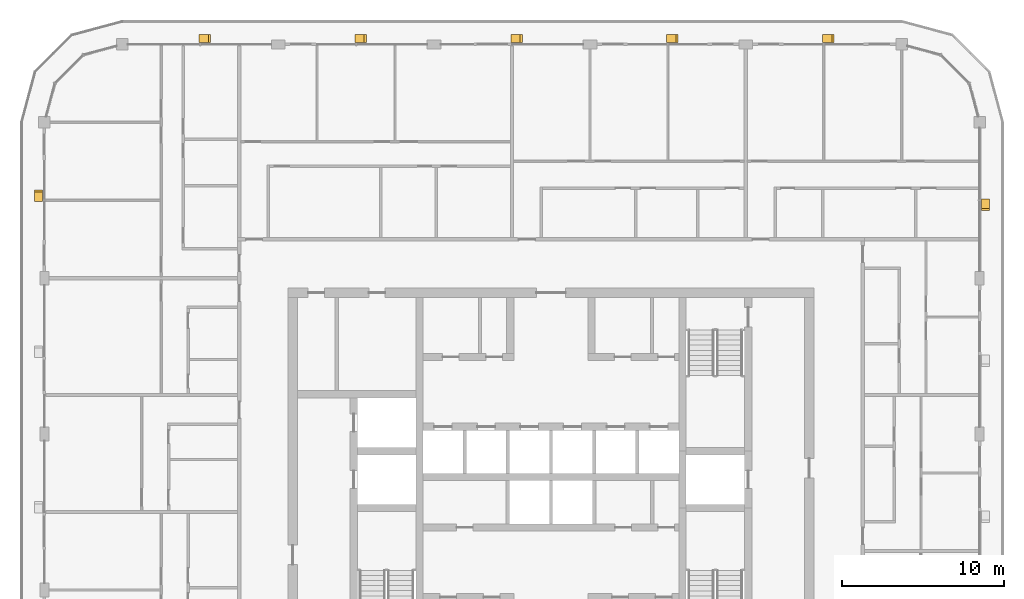
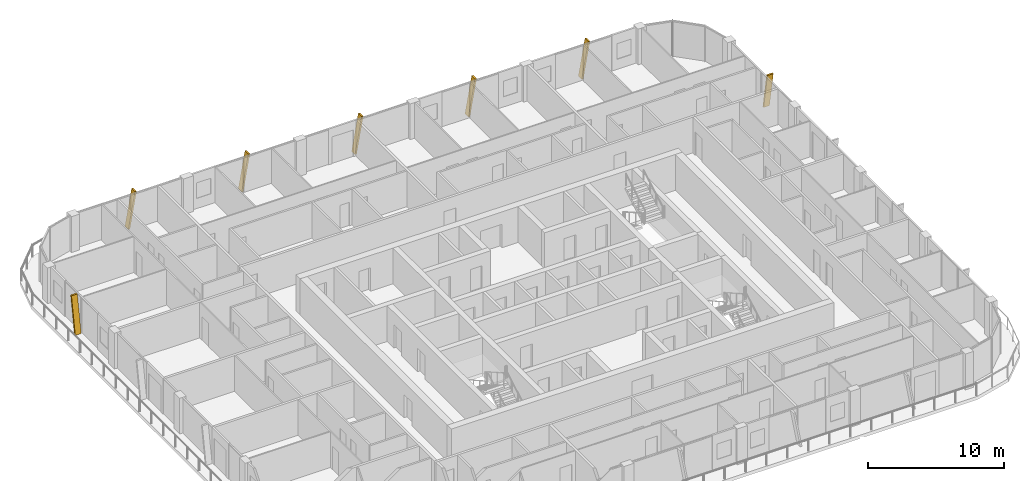
# One storey, part 22 of 22: 7 shading devices.
"""IFC4 building model written with IfcOpenShell, lengths in metres."""

from ifc_helpers import new_model, si_unit, direction, frame, origin, place, context, subcontext, project, spatial, polyline, outline, extrude, material, type_object, element, save


model = new_model("IFC4")

# Units and contexts
model_context = context("Model", 3, precision=1e-05, world=origin(), true_north=direction((0.0, 1.0)))
body_context = subcontext(model_context, "Body", "Model", "MODEL_VIEW")
ifc_project = project(units=[si_unit("LENGTHUNIT", "METRE"), si_unit("AREAUNIT", "SQUARE_METRE"), si_unit("VOLUMEUNIT", "CUBIC_METRE"), si_unit("PLANEANGLEUNIT", "RADIAN"), si_unit("MASSUNIT", "GRAM", prefix="KILO")], contexts=[model_context])

# Site, building, storey
site_placement = place(None, origin())
site = spatial("IfcSite", under=ifc_project, at=site_placement, CompositionType="ELEMENT")
building_placement = place(site_placement, origin())
building = spatial("IfcBuilding", under=site, at=building_placement, Name="Madar Terraces", CompositionType="ELEMENT")
storey_placement = place(building_placement, frame((0.0, 0.0, 249.199951171875)))
storey = spatial("IfcBuildingStorey", under=building, at=storey_placement, Name="L65", CompositionType="ELEMENT", Elevation=249.199951171875)

# Shading devices
ifc_material = material(Name="Aluminium, black anodised", Category="aluminium")
shading_device_type = type_object("IfcShadingDeviceType", Name="Facade fin blade 140 x 500", PredefinedType="USERDEFINED", material=ifc_material)
for number, where, z_axis, x_axis, name in (
    (1, (57.949951171875, 43.1298828125, 0.0), (0.0, 0.0, 1.0), (0.0, 1.0, 0.0), "FIN L65 E4"),
    (2, (48.070068359375, 53.14990234375, 0.0), (0.0, 0.0, 1.0), (-1.0, 0.0, 0.0), "FIN L65 N1"),
):
    element("IfcShadingDevice", number, at=place(storey_placement, frame(where, z_axis=z_axis, x_axis=x_axis)), inside=storey, type_object=shading_device_type, Name=name, ObjectType="FIN", PredefinedType="USERDEFINED", context=body_context, shape_type="SweptSolid", body=[
        extrude(outline(polyline([(0.0, 0.0), (0.14013671875, 0.0), (-0.42431640625, 3.199951171875), (-0.564208984375, 3.199951171875), (0.0, 0.0)])), frame((0.0, 0.25, 0.0), z_axis=(0.0, -1.0, 0.0), x_axis=(1.0, 0.0, 0.0)), (0.0, 0.0, 1.0), 0.5),
    ])
shading_device_1_placement = place(storey_placement, frame((38.469970703125, 53.14990234375, 0.0), z_axis=(0.0, 0.0, 1.0), x_axis=(-1.0, 0.0, 0.0)))
element("IfcShadingDevice", 3, at=shading_device_1_placement, inside=storey, type_object=shading_device_type, Name="FIN L65 N2", ObjectType="FIN", PredefinedType="USERDEFINED", context=body_context, shape_type="SweptSolid", body=[
    extrude(outline(polyline([(0.0, 0.0), (0.139892578125, 0.0), (-0.42431640625, 3.199951171875), (-0.564208984375, 3.199951171875), (0.0, 0.0)])), frame((0.0, 0.25, 0.0), z_axis=(0.0, -1.0, 0.0), x_axis=(1.0, 0.0, 0.0)), (0.0, 0.0, 1.0), 0.5),
])
for number, where, z_axis, x_axis, name in (
    (4, (28.8701171875, 53.14990234375, 0.0), (0.0, 0.0, 1.0), (-1.0, 0.0, 0.0), "FIN L65 N3"),
    (5, (19.27001953125, 53.14990234375, 0.0), (0.0, 0.0, 1.0), (-1.0, 0.0, 0.0), "FIN L65 N4"),
):
    element("IfcShadingDevice", number, at=place(storey_placement, frame(where, z_axis=z_axis, x_axis=x_axis)), inside=storey, type_object=shading_device_type, Name=name, ObjectType="FIN", PredefinedType="USERDEFINED", context=body_context, shape_type="SweptSolid", body=[
        extrude(outline(polyline([(0.0, 0.0), (0.14013671875, 0.0), (-0.42431640625, 3.199951171875), (-0.564208984375, 3.199951171875), (0.0, 0.0)])), frame((0.0, 0.25, 0.0), z_axis=(0.0, -1.0, 0.0), x_axis=(1.0, 0.0, 0.0)), (0.0, 0.0, 1.0), 0.5),
    ])
shading_device_2_placement = place(storey_placement, frame((9.669921875, 53.14990234375, 0.0), z_axis=(0.0, 0.0, 1.0), x_axis=(-1.0, 0.0, 0.0)))
element("IfcShadingDevice", 6, at=shading_device_2_placement, inside=storey, type_object=shading_device_type, Name="FIN L65 N5", ObjectType="FIN", PredefinedType="USERDEFINED", context=body_context, shape_type="SweptSolid", body=[
    extrude(outline(polyline([(0.0, 0.0), (0.139892578125, 0.0), (-0.42431640625, 3.199951171875), (-0.564208984375, 3.199951171875), (0.0, 0.0)])), frame((0.0, 0.25, 0.0), z_axis=(0.0, -1.0, 0.0), x_axis=(1.0, 0.0, 0.0)), (0.0, 0.0, 1.0), 0.5),
])
shading_device_3_placement = place(storey_placement, frame((-0.35009765625, 43.27001953125, 0.0), z_axis=(0.0, 0.0, 1.0), x_axis=(0.0, -1.0, 0.0)))
element("IfcShadingDevice", 7, at=shading_device_3_placement, inside=storey, type_object=shading_device_type, Name="FIN L65 W1", ObjectType="FIN", PredefinedType="USERDEFINED", context=body_context, shape_type="SweptSolid", body=[
    extrude(outline(polyline([(0.0, 0.0), (0.14013671875, 0.0), (-0.42431640625, 3.199951171875), (-0.564208984375, 3.199951171875), (0.0, 0.0)])), frame((0.0, 0.25, 0.0), z_axis=(0.0, -1.0, 0.0), x_axis=(1.0, 0.0, 0.0)), (0.0, 0.0, 1.0), 0.5),
])

save(model, "model.ifc")
